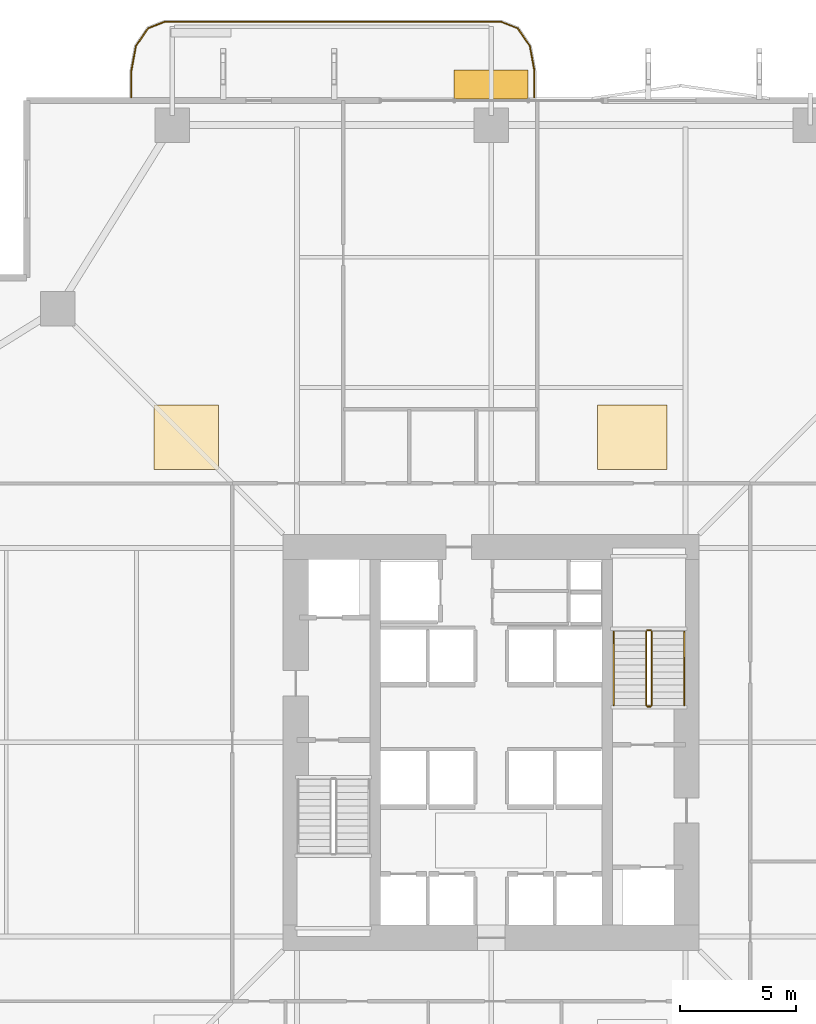
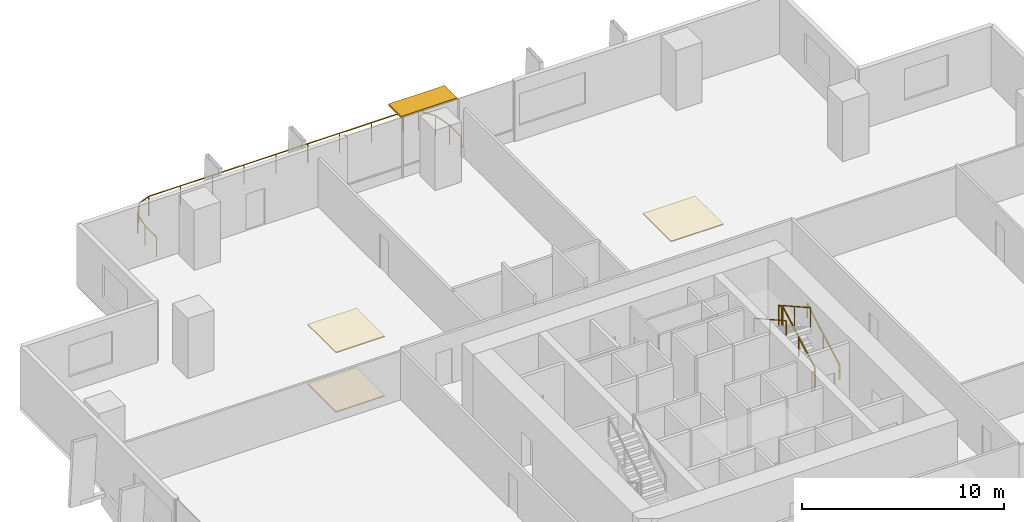
# One storey, part 23 of 24: 7 railings, 3 coverings, 1 shading device.
"""IFC4 building model written with IfcOpenShell, lengths in metres."""

from ifc_helpers import new_model, si_unit, direction, frame, origin, origin_2d, place, context, subcontext, project, spatial, polyline, rectangle, outline, extrude, material, layer, layer_set, type_object, element, save


model = new_model("IFC4")

# Units and contexts
model_context = context("Model", 3, precision=1e-05, world=origin(), true_north=direction((0.0, 1.0)))
body_context = subcontext(model_context, "Body", "Model", "MODEL_VIEW")
ifc_project = project(units=[si_unit("LENGTHUNIT", "METRE"), si_unit("AREAUNIT", "SQUARE_METRE"), si_unit("VOLUMEUNIT", "CUBIC_METRE"), si_unit("PLANEANGLEUNIT", "RADIAN"), si_unit("MASSUNIT", "GRAM", prefix="KILO")], contexts=[model_context])

# Site, building, storey
site_placement = place(None, origin())
site = spatial("IfcSite", under=ifc_project, at=site_placement, CompositionType="ELEMENT")
building_placement = place(site_placement, origin())
building = spatial("IfcBuilding", under=site, at=building_placement, Name="Belovzor Exchange Tower", CompositionType="ELEMENT")
storey_placement = place(building_placement, frame((0.0, 0.0, 69.0)))
storey = spatial("IfcBuildingStorey", under=building, at=storey_placement, Name="L16", CompositionType="ELEMENT", Elevation=69.0)

# Railings
ifc_material_1 = material(Name="Stainless Steel Grade 304", Category="steel")
railing_type_1 = type_object("IfcRailingType", Name="Brushed Stainless Steel Stair Handrail 900", PredefinedType="HANDRAIL", material=ifc_material_1)
railing_1_placement = place(storey_placement, frame((37.14990234375, 30.39990234375, 0.16259765625)))
element("IfcRailing", 1, at=railing_1_placement, inside=storey, type_object=railing_type_1, Name="L16 ST-2 stair handrail 1", PredefinedType="HANDRAIL", context=body_context, shape_type="SweptSolid", body=[
    extrude(rectangle(XDim=0.048095703125, YDim=0.048095703125, at=origin_2d()), frame((0.0, 0.0, 0.8759765625), z_axis=(0.0, 0.872406949647, 0.488780230991), x_axis=(-1.0, 0.0, 0.0)), (0.0, 0.0, 1.0), 3.65673828125),
    extrude(rectangle(XDim=0.0419921875, YDim=0.0419921875, at=origin_2d()), origin(), (0.0, 0.0, 1.0), 0.851806640625),
    extrude(rectangle(XDim=0.0419921875, YDim=0.0419921875, at=origin_2d()), frame((0.0, 1.59521484375, 0.8935546875)), (0.0, 0.0, 1.0), 0.851806640625),
    extrude(rectangle(XDim=0.0419921875, YDim=0.0419921875, at=origin_2d()), frame((0.0, 3.190185546875, 1.787353515625)), (0.0, 0.0, 1.0), 0.851806640625),
])
railing_2_placement = place(storey_placement, frame((34.10009765625, 33.590087890625, 2.112548828125)))
element("IfcRailing", 2, at=railing_2_placement, inside=storey, type_object=railing_type_1, Name="L16 ST-2 stair handrail 2", PredefinedType="HANDRAIL", context=body_context, shape_type="SweptSolid", body=[
    extrude(rectangle(XDim=0.048095703125, YDim=0.048095703125, at=origin_2d()), frame((0.0, 0.0, 0.8759765625), z_axis=(0.0, -0.872406949647, 0.488780230991), x_axis=(1.0, 0.0, 0.0)), (0.0, 0.0, 1.0), 3.65673828125),
    extrude(rectangle(XDim=0.0419921875, YDim=0.0419921875, at=origin_2d()), origin(), (0.0, 0.0, 1.0), 0.851806640625),
    extrude(rectangle(XDim=0.0419921875, YDim=0.0419921875, at=origin_2d()), frame((0.0, -1.59521484375, 0.8935546875)), (0.0, 0.0, 1.0), 0.851806640625),
    extrude(rectangle(XDim=0.0419921875, YDim=0.0419921875, at=origin_2d()), frame((0.0, -3.190185546875, 1.787353515625)), (0.0, 0.0, 1.0), 0.851806640625),
])
ifc_material_2 = material(Name="Stainless Steel and Laminated Safety Glass", Category="steel")
railing_type_2 = type_object("IfcRailingType", Name="Laminated Glass & Stainless Steel Balcony Balustrade 1200", PredefinedType="BALUSTRADE", material=ifc_material_2)
railing_3_placement = place(storey_placement, frame((30.669921875, 56.7099609375, 0.0)))
element("IfcRailing", 3, at=railing_3_placement, inside=storey, type_object=railing_type_2, Name="GR-1 Balcony Balustrade L16 North", PredefinedType="BALUSTRADE", context=body_context, shape_type="SweptSolid", body=[
    extrude(rectangle(XDim=0.048095703125, YDim=0.048095703125, at=origin_2d()), frame((0.0, 0.0, 1.17578125), z_axis=(0.0, 1.0, 0.0), x_axis=(-1.0, 0.0, 0.0)), (0.0, 0.0, 1.0), 1.133056640625),
    extrude(rectangle(XDim=0.048095703125, YDim=0.048095703125, at=origin_2d()), frame((0.0, 1.133056640625, 1.17578125), z_axis=(-0.180122719713, 0.983644145941, 0.0), x_axis=(-0.983644145941, -0.180122719713, 0.0)), (0.0, 0.0, 1.0), 1.09375),
    extrude(rectangle(XDim=0.048095703125, YDim=0.048095703125, at=origin_2d()), frame((-0.197021484375, 2.208984375, 1.17578125), z_axis=(-0.562768145367, 0.826614792125, 0.0), x_axis=(-0.826614792125, -0.562768145367, 0.0)), (0.0, 0.0, 1.0), 0.9326171875),
    extrude(rectangle(XDim=0.048095703125, YDim=0.048095703125, at=origin_2d()), frame((-0.721923828125, 2.97998046875, 1.17578125), z_axis=(-0.930766990125, 0.365612923861, 0.0), x_axis=(-0.365612923861, -0.930766990125, 0.0)), (0.0, 0.0, 1.0), 0.765869140625),
    extrude(rectangle(XDim=0.048095703125, YDim=0.048095703125, at=origin_2d()), frame((-1.434814453125, 3.260009765625, 1.17578125), z_axis=(-1.0, 0.0, 0.0), x_axis=(0.0, -1.0, 0.0)), (0.0, 0.0, 1.0), 14.570068359375),
    extrude(rectangle(XDim=0.048095703125, YDim=0.048095703125, at=origin_2d()), frame((-16.0048828125, 3.260009765625, 1.17578125), z_axis=(-0.930809580156, -0.365504480807, 0.0), x_axis=(0.365504480807, -0.930809580156, 0.0)), (0.0, 0.0, 1.0), 0.76611328125),
    extrude(rectangle(XDim=0.048095703125, YDim=0.048095703125, at=origin_2d()), frame((-16.718017578125, 2.97998046875, 1.17578125), z_axis=(-0.562768145367, -0.826614792125, 0.0), x_axis=(0.826614792125, -0.562768145367, 0.0)), (0.0, 0.0, 1.0), 0.9326171875),
    extrude(rectangle(XDim=0.048095703125, YDim=0.048095703125, at=origin_2d()), frame((-17.242919921875, 2.208984375, 1.17578125), z_axis=(-0.180122719713, -0.983644145941, 0.0), x_axis=(0.983644145941, -0.180122719713, 0.0)), (0.0, 0.0, 1.0), 1.09375),
    extrude(rectangle(XDim=0.048095703125, YDim=0.048095703125, at=origin_2d()), frame((-17.43994140625, 1.133056640625, 1.17578125), z_axis=(0.0, -1.0, 0.0), x_axis=(1.0, 0.0, 0.0)), (0.0, 0.0, 1.0), 1.133056640625),
    extrude(rectangle(XDim=0.0419921875, YDim=0.0419921875, at=origin_2d()), origin(), (0.0, 0.0, 1.0), 1.15185546875),
    extrude(rectangle(XDim=0.0419921875, YDim=0.0419921875, at=origin_2d()), frame((0.0, 1.133056640625, 0.0)), (0.0, 0.0, 1.0), 1.15185546875),
    extrude(rectangle(XDim=0.0419921875, YDim=0.0419921875, at=origin_2d()), frame((-0.197021484375, 2.208984375, 0.0)), (0.0, 0.0, 1.0), 1.15185546875),
    extrude(rectangle(XDim=0.0419921875, YDim=0.0419921875, at=origin_2d()), frame((-0.721923828125, 2.97998046875, 0.0)), (0.0, 0.0, 1.0), 1.15185546875),
    extrude(rectangle(XDim=0.0419921875, YDim=0.0419921875, at=origin_2d()), frame((-1.434814453125, 3.260009765625, 0.0)), (0.0, 0.0, 1.0), 1.15185546875),
    extrude(rectangle(XDim=0.0419921875, YDim=0.0419921875, at=origin_2d()), frame((-3.256103515625, 3.260009765625, 0.0)), (0.0, 0.0, 1.0), 1.15185546875),
    extrude(rectangle(XDim=0.0419921875, YDim=0.0419921875, at=origin_2d()), frame((-5.077392578125, 3.260009765625, 0.0)), (0.0, 0.0, 1.0), 1.15185546875),
    extrude(rectangle(XDim=0.0419921875, YDim=0.0419921875, at=origin_2d()), frame((-6.898681640625, 3.260009765625, 0.0)), (0.0, 0.0, 1.0), 1.15185546875),
    extrude(rectangle(XDim=0.0419921875, YDim=0.0419921875, at=origin_2d()), frame((-8.7197265625, 3.260009765625, 0.0)), (0.0, 0.0, 1.0), 1.15185546875),
    extrude(rectangle(XDim=0.0419921875, YDim=0.0419921875, at=origin_2d()), frame((-10.541015625, 3.260009765625, 0.0)), (0.0, 0.0, 1.0), 1.15185546875),
    extrude(rectangle(XDim=0.0419921875, YDim=0.0419921875, at=origin_2d()), frame((-12.3623046875, 3.260009765625, 0.0)), (0.0, 0.0, 1.0), 1.15185546875),
    extrude(rectangle(XDim=0.0419921875, YDim=0.0419921875, at=origin_2d()), frame((-14.18359375, 3.260009765625, 0.0)), (0.0, 0.0, 1.0), 1.15185546875),
    extrude(rectangle(XDim=0.0419921875, YDim=0.0419921875, at=origin_2d()), frame((-16.0048828125, 3.260009765625, 0.0)), (0.0, 0.0, 1.0), 1.15185546875),
    extrude(rectangle(XDim=0.0419921875, YDim=0.0419921875, at=origin_2d()), frame((-16.718017578125, 2.97998046875, 0.0)), (0.0, 0.0, 1.0), 1.15185546875),
    extrude(rectangle(XDim=0.0419921875, YDim=0.0419921875, at=origin_2d()), frame((-17.242919921875, 2.208984375, 0.0)), (0.0, 0.0, 1.0), 1.15185546875),
    extrude(rectangle(XDim=0.0419921875, YDim=0.0419921875, at=origin_2d()), frame((-17.43994140625, 1.133056640625, 0.0)), (0.0, 0.0, 1.0), 1.15185546875),
    extrude(rectangle(XDim=0.0419921875, YDim=0.0419921875, at=origin_2d()), frame((-17.43994140625, 0.0, 0.0)), (0.0, 0.0, 1.0), 1.15185546875),
])
ifc_material_3 = material(Name="Steel S355", Category="steel")
railing_type_3 = type_object("IfcRailingType", Name="Painted Steel Stairwell Guardrail 1200", PredefinedType="GUARDRAIL", material=ifc_material_3)
railing_4_placement = place(storey_placement, frame((35.75, 30.39990234375, 0.16259765625)))
element("IfcRailing", 4, at=railing_4_placement, inside=storey, type_object=railing_type_3, Name="L16 ST-2 stair guard 1", PredefinedType="GUARDRAIL", context=body_context, shape_type="SweptSolid", body=[
    extrude(rectangle(XDim=0.048095703125, YDim=0.048095703125, at=origin_2d()), frame((0.0, 0.0, 1.17578125), z_axis=(0.0, 0.872406949647, 0.488780230991), x_axis=(-1.0, 0.0, 0.0)), (0.0, 0.0, 1.0), 3.65673828125),
    extrude(rectangle(XDim=0.0419921875, YDim=0.0419921875, at=origin_2d()), origin(), (0.0, 0.0, 1.0), 1.15185546875),
    extrude(rectangle(XDim=0.0419921875, YDim=0.0419921875, at=origin_2d()), frame((0.0, 1.59521484375, 0.8935546875)), (0.0, 0.0, 1.0), 1.15185546875),
    extrude(rectangle(XDim=0.0419921875, YDim=0.0419921875, at=origin_2d()), frame((0.0, 3.190185546875, 1.787353515625)), (0.0, 0.0, 1.0), 1.15185546875),
])
railing_5_placement = place(storey_placement, frame((35.699951171875, 33.639892578125, 1.949951171875)))
element("IfcRailing", 5, at=railing_5_placement, inside=storey, type_object=railing_type_3, Name="L16 ST-2 stair guard 2", PredefinedType="GUARDRAIL", context=body_context, shape_type="SweptSolid", body=[
    extrude(rectangle(XDim=0.048095703125, YDim=0.048095703125, at=origin_2d()), frame((0.0, 0.0, 1.17578125), z_axis=(-1.0, 0.0, 0.0), x_axis=(0.0, -1.0, 0.0)), (0.0, 0.0, 1.0), 0.14990234375),
    extrude(rectangle(XDim=0.0419921875, YDim=0.0419921875, at=origin_2d()), origin(), (0.0, 0.0, 1.0), 1.15185546875),
    extrude(rectangle(XDim=0.0419921875, YDim=0.0419921875, at=origin_2d()), frame((-0.14990234375, 0.0, 0.0)), (0.0, 0.0, 1.0), 1.15185546875),
])
railing_6_placement = place(storey_placement, frame((35.5, 33.590087890625, 2.112548828125)))
element("IfcRailing", 6, at=railing_6_placement, inside=storey, type_object=railing_type_3, Name="L16 ST-2 stair guard 3", PredefinedType="GUARDRAIL", context=body_context, shape_type="SweptSolid", body=[
    extrude(rectangle(XDim=0.048095703125, YDim=0.048095703125, at=origin_2d()), frame((0.0, 0.0, 1.17578125), z_axis=(0.0, -0.872406949647, 0.488780230991), x_axis=(1.0, 0.0, 0.0)), (0.0, 0.0, 1.0), 3.65673828125),
    extrude(rectangle(XDim=0.0419921875, YDim=0.0419921875, at=origin_2d()), origin(), (0.0, 0.0, 1.0), 1.15185546875),
    extrude(rectangle(XDim=0.0419921875, YDim=0.0419921875, at=origin_2d()), frame((0.0, -1.59521484375, 0.8935546875)), (0.0, 0.0, 1.0), 1.15185546875),
    extrude(rectangle(XDim=0.0419921875, YDim=0.0419921875, at=origin_2d()), frame((0.0, -3.190185546875, 1.787353515625)), (0.0, 0.0, 1.0), 1.15185546875),
])
railing_7_placement = place(storey_placement, frame((35.699951171875, 30.35009765625, 0.0)))
element("IfcRailing", 7, at=railing_7_placement, inside=storey, type_object=railing_type_3, Name="L16 ST-2 stair guard 4", PredefinedType="GUARDRAIL", context=body_context, shape_type="SweptSolid", body=[
    extrude(rectangle(XDim=0.048095703125, YDim=0.048095703125, at=origin_2d()), frame((0.0, 0.0, 1.17578125), z_axis=(-1.0, 0.0, 0.0), x_axis=(0.0, -1.0, 0.0)), (0.0, 0.0, 1.0), 0.14990234375),
    extrude(rectangle(XDim=0.0419921875, YDim=0.0419921875, at=origin_2d()), origin(), (0.0, 0.0, 1.0), 1.15185546875),
    extrude(rectangle(XDim=0.0419921875, YDim=0.0419921875, at=origin_2d()), frame((-0.14990234375, 0.0, 0.0)), (0.0, 0.0, 1.0), 1.15185546875),
])

# Coverings
ifc_material_4 = material(Name="Perforated Powder-Coated Aluminium", Category="aluminium")
ifc_layer_1 = layer(ifc_material_4, 0.06005859375)
ifc_layer_set_1 = layer_set([ifc_layer_1], Name="Perforated Powder-Coated Aluminium")
covering_type_1 = type_object("IfcCoveringType", Name="Perforated Acoustic Metal Tile Suspended Ceiling 60", PredefinedType="CEILING", material=ifc_layer_set_1)
covering_1_placement = place(storey_placement, frame((0.0, 0.0, 3.590087890625)))
element("IfcCovering", 8, at=covering_1_placement, inside=storey, type_object=covering_type_1, Name="CLG-AC60 Suspended Ceiling CLG-L16-Z2", PredefinedType="CEILING", context=body_context, shape_type="SweptSolid", body=[
    extrude(outline(polyline([(33.39990234375, 40.60009765625), (36.39990234375, 40.60009765625), (36.39990234375, 43.39990234375), (33.39990234375, 43.39990234375), (33.39990234375, 40.60009765625)])), origin(), (0.0, 0.0, 1.0), 0.059814453125),
])
covering_2_placement = place(storey_placement, frame((0.0, 0.0, 3.590087890625)))
element("IfcCovering", 9, at=covering_2_placement, inside=storey, type_object=covering_type_1, Name="CLG-AC60 Suspended Ceiling CLG-L16-Z3", PredefinedType="CEILING", context=body_context, shape_type="SweptSolid", body=[
    extrude(outline(polyline([(14.199951171875, 40.60009765625), (17.0, 40.60009765625), (17.0, 43.39990234375), (14.199951171875, 43.39990234375), (14.199951171875, 40.60009765625)])), origin(), (0.0, 0.0, 1.0), 0.059814453125),
])
ifc_material_5 = material(Name="Polished Natural Granite Tile", Category="masonry")
ifc_layer_2 = layer(ifc_material_5, 0.050048828125)
ifc_layer_set_2 = layer_set([ifc_layer_2], Name="Polished Natural Granite Tile")
covering_type_2 = type_object("IfcCoveringType", Name="Polished Karelian Granite & Raised Access Floor Finish 50", PredefinedType="FLOORING", material=ifc_layer_set_2)
covering_3_placement = place(storey_placement, origin())
element("IfcCovering", 10, at=covering_3_placement, inside=storey, type_object=covering_type_2, Name="FLR-GR50 Floor Finish FLR-L16-Z3", PredefinedType="FLOORING", context=body_context, shape_type="SweptSolid", body=[
    extrude(outline(polyline([(14.199951171875, 40.60009765625), (17.0, 40.60009765625), (17.0, 43.39990234375), (14.199951171875, 43.39990234375), (14.199951171875, 40.60009765625)])), origin(), (0.0, 0.0, 1.0), 0.050048828125),
])

# Shading device
ifc_material_6 = material(Name="Extruded Architectural Terracotta", Category="masonry")
ifc_layer_3 = layer(ifc_material_6, 0.1201171875)
ifc_layer_set_3 = layer_set([ifc_layer_3], Name="Extruded Architectural Terracotta")
shading_device_type = type_object("IfcShadingDeviceType", Name="Streamline Terracotta Horizontal Sunshade Hood 1250", PredefinedType="AWNING", material=ifc_layer_set_3)
shading_device_placement = place(storey_placement, frame((28.800048828125, 57.264892578125, 3.530029296875), z_axis=(0.0, 0.0, 1.0), x_axis=(1.0, 0.0, 0.0)))
element("IfcShadingDevice", 11, at=shading_device_placement, inside=storey, type_object=shading_device_type, Name="SHD-TC125 Terracotta Sunshade L16 N", PredefinedType="AWNING", context=body_context, shape_type="SweptSolid", body=[
    extrude(rectangle(XDim=3.199951171875, YDim=1.25, at=origin_2d()), origin(), (0.0, 0.0, 1.0), 0.1201171875),
])

save(model, "model.ifc")
